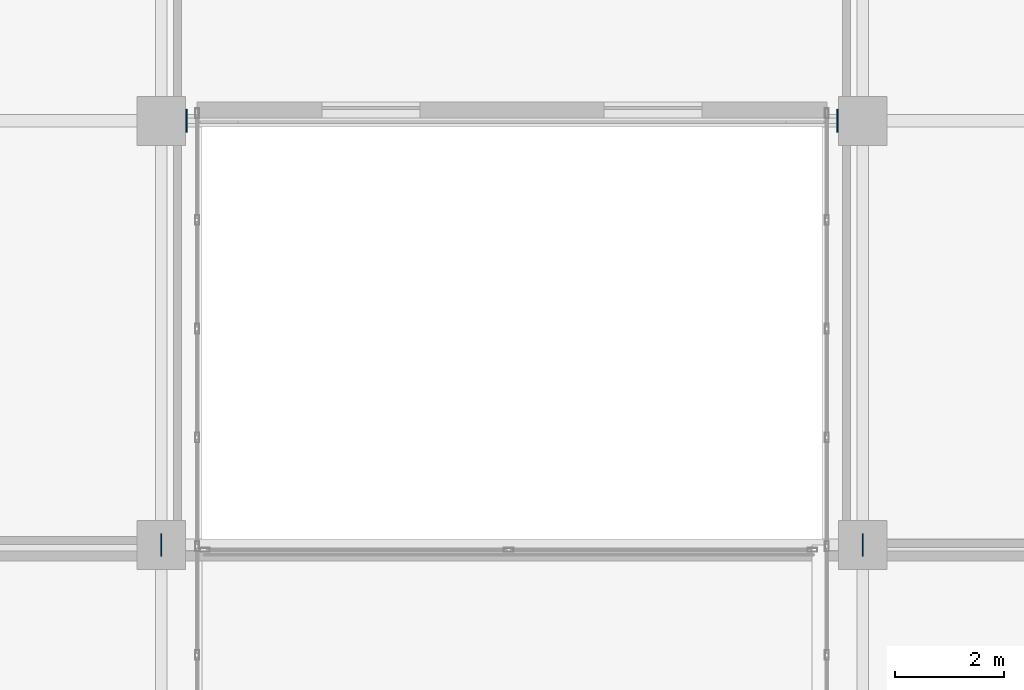
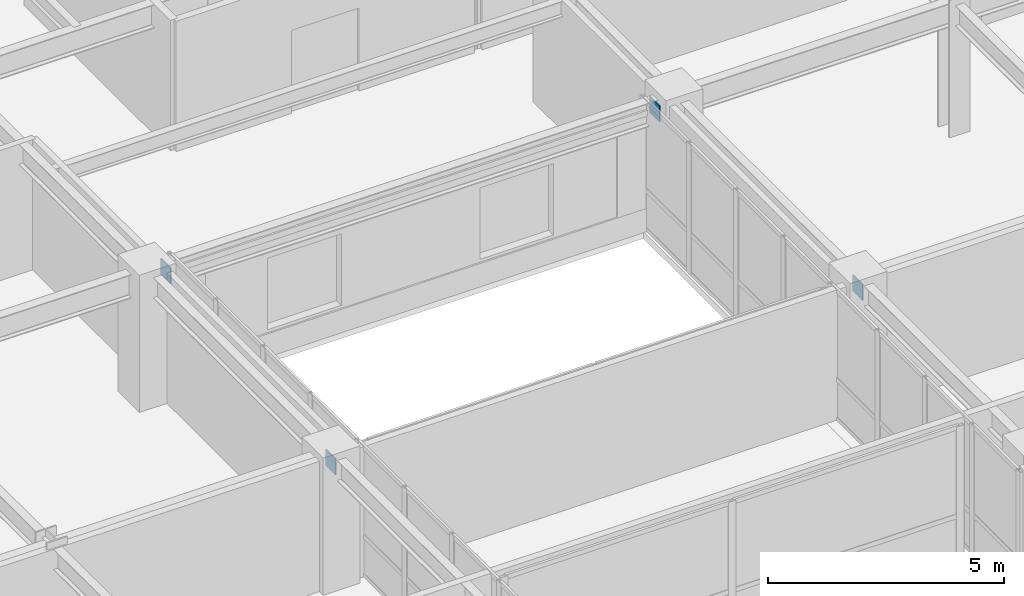
# One storey, part 20 of 31: 4 plates.
"""IFC4 building model written with IfcOpenShell, lengths in metres."""

from ifc_helpers import new_model, si_unit, direction, frame, origin, origin_2d, place, context, subcontext, project, spatial, rectangle, extrude, source, transform, mapped, material, layer, layer_set, type_object, type_shapes, element, save


model = new_model("IFC4")

# Units and contexts
model_context = context("Model", 3, precision=1e-05, world=origin(), true_north=direction((0.0, 1.0)))
body_context = subcontext(model_context, "Body", "Model", "MODEL_VIEW")
ifc_project = project(units=[si_unit("LENGTHUNIT", "METRE"), si_unit("AREAUNIT", "SQUARE_METRE"), si_unit("VOLUMEUNIT", "CUBIC_METRE"), si_unit("PLANEANGLEUNIT", "RADIAN"), si_unit("MASSUNIT", "GRAM", prefix="KILO")], contexts=[model_context])

# Site, building, storey
site_placement = place(None, origin())
site = spatial("IfcSite", under=ifc_project, at=site_placement, CompositionType="ELEMENT")
building_placement = place(site_placement, origin())
building = spatial("IfcBuilding", under=site, at=building_placement, Name="Tolvann Quenvar Hotel", CompositionType="ELEMENT")
storey_placement = place(building_placement, frame((0.0, 0.0, 125.75)))
storey = spatial("IfcBuildingStorey", under=building, at=storey_placement, Name="L32", CompositionType="ELEMENT", Elevation=125.75)

# Plates
ifc_material = material(Name="Steel Grade 350", Category="steel")
ifc_layer = layer(ifc_material, 0.02490234375)
ifc_layer_set = layer_set([ifc_layer], Name="Steel Grade 350")
plate_type = type_object("IfcPlateType", Name="PLT_ENDCAP_25", PredefinedType="SHEET", material=ifc_layer_set)
shared_shape = source(origin(), body_context, "Body", "SweptSolid", [
    extrude(rectangle(XDim=0.02490234375, YDim=0.419921875, at=origin_2d()), origin(), (0.0, 0.0, 1.0), 0.419921875),
])
type_shapes(plate_type, [shared_shape])
for number, where, z_axis, x_axis, name in (
    (1, (22.050048828125, 8.199951171875, 2.81005859375), (0.0, 0.0, 1.0), (1.0, 0.0, 0.0), "Skybridge Tie End Plate EC-1 (L32-1)"),
    (2, (22.514892578125, 16.0, 2.860107421875), (0.0, 0.0, 1.0), (1.0, 0.0, 0.0), "Atrium Girt End Plate EC-1 (L32-1)"),
    (3, (34.949951171875, 8.199951171875, 2.81005859375), (0.0, 0.0, 1.0), (1.0, 0.0, 0.0), "Skybridge Tie End Plate EC-1 (L32-2)"),
    (4, (34.485107421875, 16.0, 2.860107421875), (0.0, 0.0, 1.0), (1.0, 0.0, 0.0), "Atrium Girt End Plate EC-1 (L32-2)"),
):
    element("IfcPlate", number, at=place(storey_placement, frame(where, z_axis=z_axis, x_axis=x_axis)), inside=storey, type_object=plate_type, Name=name, PredefinedType="SHEET", context=body_context, shape_type="MappedRepresentation", body=[
        mapped(shared_shape, transform((0.0, 0.0, 0.0), x_axis=(1.0, 0.0, 0.0), y_axis=(0.0, 1.0, 0.0), z_axis=(0.0, 0.0, 1.0), scale=1.0)),
    ])

save(model, "model.ifc")
